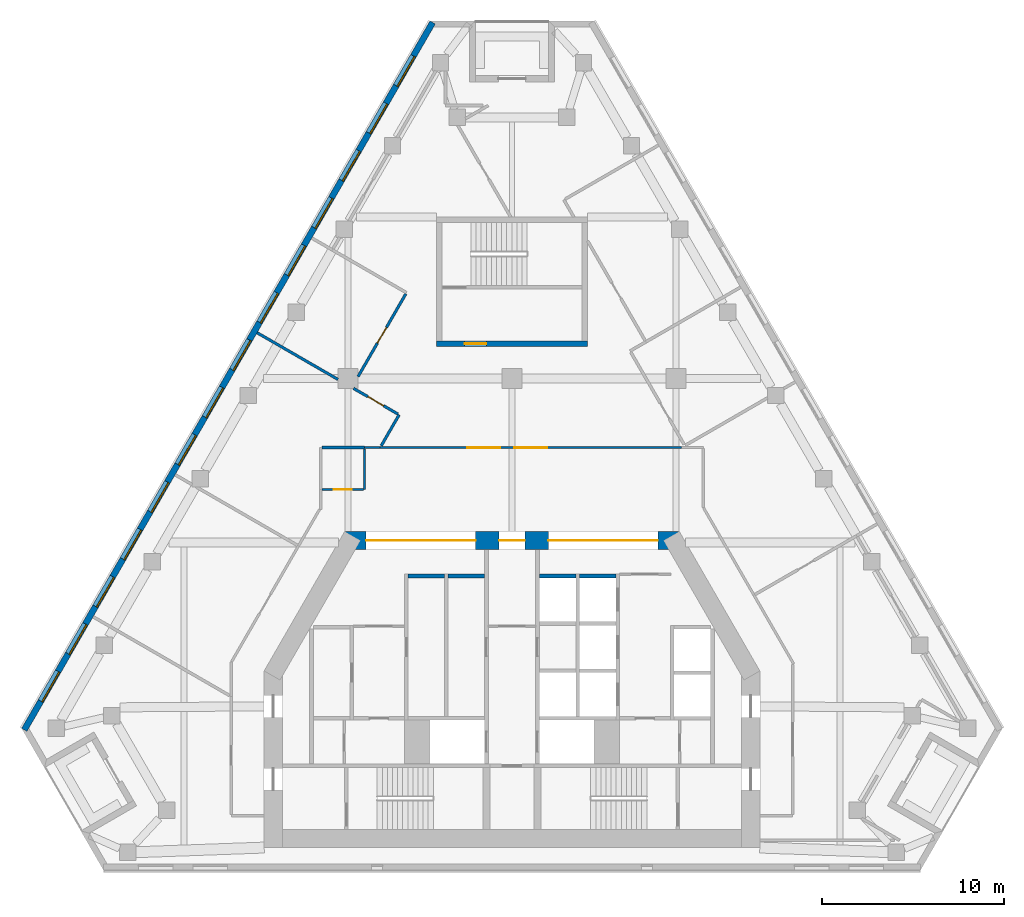
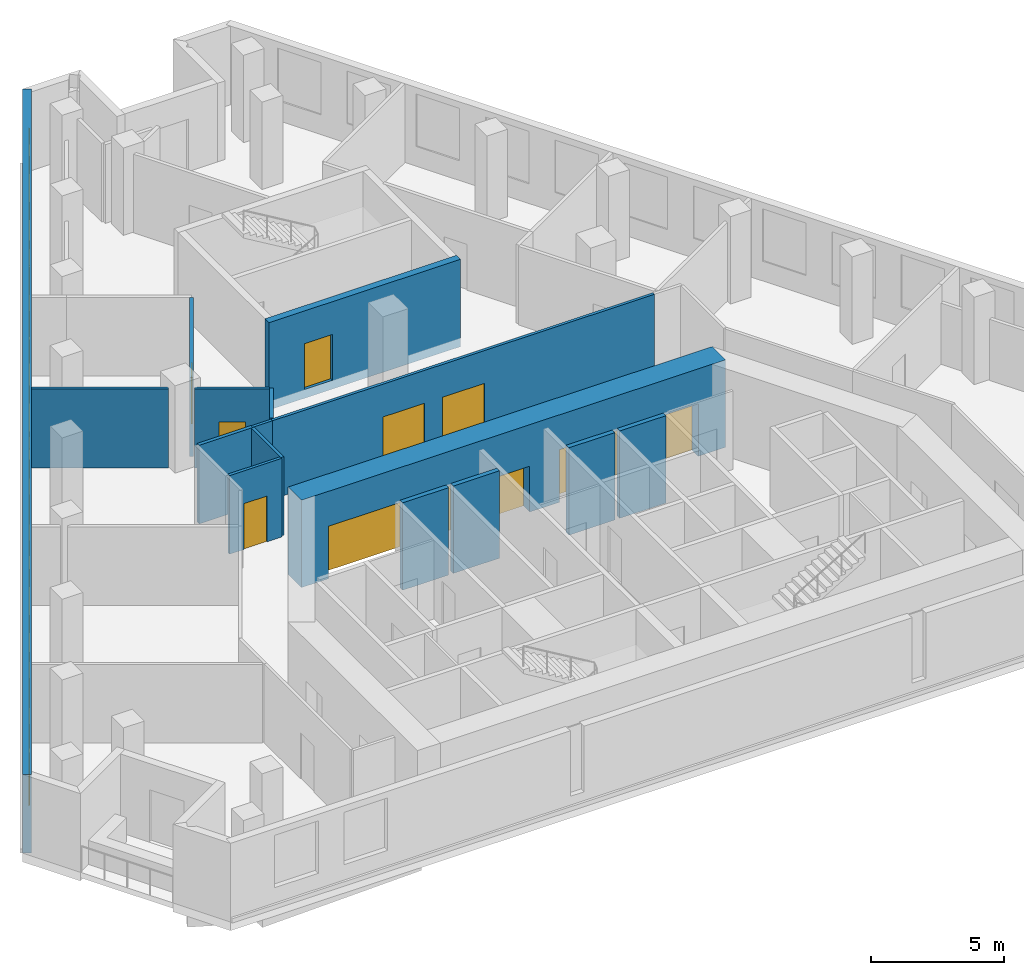
# One storey, part 4 of 8: 16 walls, 14 windows, 9 doors, 23 openings.
"""IFC4 building model written with IfcOpenShell, lengths in metres."""

from ifc_helpers import new_model, si_unit, direction, frame, frame_2d, origin, place, context, subcontext, project, spatial, rectangle, extrude, material, layer, layer_set, type_object, element, fill, save


model = new_model("IFC4")

# Units and contexts
model_context = context("Model", 3, precision=1e-05, world=origin(), true_north=direction((0.0, 1.0)))
body_context = subcontext(model_context, "Body", "Model", "MODEL_VIEW")
ifc_project = project(units=[si_unit("LENGTHUNIT", "METRE"), si_unit("AREAUNIT", "SQUARE_METRE"), si_unit("VOLUMEUNIT", "CUBIC_METRE"), si_unit("PLANEANGLEUNIT", "RADIAN"), si_unit("MASSUNIT", "GRAM", prefix="KILO")], contexts=[model_context])

# Site, building, storey
site_placement = place(None, origin())
site = spatial("IfcSite", under=ifc_project, at=site_placement, CompositionType="ELEMENT")
building_placement = place(site_placement, origin())
building = spatial("IfcBuilding", under=site, at=building_placement, Name="Fogline Exchange Tower", CompositionType="ELEMENT")
storey_placement = place(building_placement, frame((0.0, 0.0, 223.5)))
storey = spatial("IfcBuildingStorey", under=building, at=storey_placement, Name="L50", CompositionType="ELEMENT", Elevation=223.5)

# Walls
ifc_material_1 = material(Name="Concrete C40", Category="concrete")
ifc_layer_1 = layer(ifc_material_1, 0.199951171875)
ifc_layer_set_1 = layer_set([ifc_layer_1], Name="CW20S")
wall_type_1 = type_object("IfcWallType", Name="CW20S", PredefinedType="SOLIDWALL", material=ifc_layer_set_1)
for number, where, z_axis, x_axis, name in (
    (1, (-5.699951171875, 16.14990234375, -0.39990234375), (0.0, 0.0, 1.0), (1.0, 0.0, 0.0), "Lift shaft wall"),
    (2, (-3.5, 16.14990234375, -0.39990234375), (0.0, 0.0, 1.0), (1.0, 0.0, 0.0), "Lift shaft wall"),
    (3, (3.699951171875, 16.14990234375, -0.39990234375), (0.0, 0.0, 1.0), (1.0, 0.0, 0.0), "Lift shaft wall"),
    (4, (1.5, 16.14990234375, -0.39990234375), (0.0, 0.0, 1.0), (1.0, 0.0, 0.0), "Lift shaft wall"),
):
    element("IfcWall", number, at=place(storey_placement, frame(where, z_axis=z_axis, x_axis=x_axis)), inside=storey, type_object=wall_type_1, Name=name, PredefinedType="SOLIDWALL", context=body_context, shape_type="SweptSolid", body=[
        extrude(rectangle(XDim=2.0, YDim=0.199951171875, at=frame_2d((1.0, 0.0))), origin(), (0.0, 0.0, 1.0), 4.0),
    ])

# Wall, opening, door
ifc_layer_2 = layer(ifc_material_1, 0.300048828125)
ifc_layer_set_2 = layer_set([ifc_layer_2], Name="CW30")
wall_type_2 = type_object("IfcWallType", Name="CW30", PredefinedType="SOLIDWALL", material=ifc_layer_set_2)
wall_1_placement = place(storey_placement, frame((-4.14990234375, 28.906982421875, -0.39990234375), z_axis=(0.0, 0.0, 1.0), x_axis=(1.0, 0.0, 0.0)))
wall_1 = element("IfcWall", 5, at=wall_1_placement, inside=storey, type_object=wall_type_2, Name="Stair enclosure wall ST3", PredefinedType="SOLIDWALL", context=body_context, shape_type="SweptSolid", body=[
    extrude(rectangle(XDim=8.2998046875, YDim=0.300048828125, at=frame_2d((4.14990234375, 0.0))), origin(), (0.0, 0.0, 1.0), 4.0),
])
opening_1_placement = place(wall_1_placement, frame((1.550048828125, 0.0, 0.39990234375)))
opening_1 = element("IfcOpeningElement", 6, at=opening_1_placement, cuts=wall_1, Name="Opening T16-C022", PredefinedType="OPENING", context=body_context, shape_type="SweptSolid", body=[
    extrude(rectangle(XDim=1.199951171875, YDim=2.10009765625, at=frame_2d((0.60009765625, 1.050048828125))), frame((0.0, 0.16015625, 0.0), z_axis=(0.0, -1.0, 0.0), x_axis=(1.0, 0.0, 0.0)), (0.0, 0.0, 1.0), 0.320068359375),
])
ifc_material_2 = material(Name="Steel and timber fire door", Category="steel")
door_type_1 = type_object("IfcDoorType", Name="D-FR1", OperationType="SINGLE_SWING_RIGHT", PredefinedType="DOOR", material=ifc_material_2)
door_1_placement = place(opening_1_placement, origin())
door_1 = element("IfcDoor", 7, at=door_1_placement, inside=storey, type_object=door_type_1, Name="Front room door ST3", OperationType="SINGLE_SWING_LEFT", OverallHeight=2.10009765625, OverallWidth=1.199951171875, PredefinedType="DOOR", context=body_context, shape_type="SweptSolid", body=[
    extrude(rectangle(XDim=1.199951171875, YDim=2.10009765625, at=frame_2d((0.60009765625, 1.050048828125))), frame((0.0, 0.02490234375, 0.0), z_axis=(0.0, -1.0, 0.0), x_axis=(1.0, 0.0, 0.0)), (0.0, 0.0, 1.0), 0.050048828125),
])
fill(opening_1, door_1)

# Wall, openings, windows
ifc_material_3 = material(Name="Brick masonry", Category="masonry")
ifc_layer_3 = layer(ifc_material_3, 0.340087890625)
ifc_layer_set_3 = layer_set([ifc_layer_3], Name="FW1")
wall_type_3 = type_object("IfcWallType", Name="FW1", PredefinedType="SOLIDWALL", material=ifc_layer_set_3)
wall_2_placement = place(storey_placement, frame((-4.352783203125, 46.53173828125, 0.0), z_axis=(0.0, 0.0, 1.0), x_axis=(-0.499997926022, -0.866026601193, 0.0)))
wall_2 = element("IfcWall", 8, at=wall_2_placement, inside=storey, type_object=wall_type_3, Name="Brick wall L50 W", PredefinedType="SOLIDWALL", context=body_context, shape_type="SweptSolid", body=[
    extrude(rectangle(XDim=44.828369140625, YDim=0.340087890625, at=frame_2d((22.4140625, 0.0))), origin(), (0.0, 0.0, 1.0), 3.60009765625),
])
opening_2_placement = place(wall_2_placement, frame((2.12109375, 0.0, 0.89990234375)))
opening_2 = element("IfcOpeningElement", 9, at=opening_2_placement, cuts=wall_2, Name="Opening W1", PredefinedType="OPENING", context=body_context, shape_type="SweptSolid", body=[
    extrude(rectangle(XDim=1.885009765625, YDim=2.39990234375, at=frame_2d((0.9423828125, 1.199951171875))), frame((0.0, 0.18017578125, 0.0), z_axis=(0.0, -1.0, 0.0), x_axis=(1.0, 0.0, 0.0)), (0.0, 0.0, 1.0), 0.360107421875),
])
opening_3_placement = place(wall_2_placement, frame((5.12109375, 0.0, 0.89990234375)))
opening_3 = element("IfcOpeningElement", 10, at=opening_3_placement, cuts=wall_2, Name="Opening W1", PredefinedType="OPENING", context=body_context, shape_type="SweptSolid", body=[
    extrude(rectangle(XDim=1.885009765625, YDim=2.39990234375, at=frame_2d((0.9423828125, 1.199951171875))), frame((0.0, 0.18017578125, 0.0), z_axis=(0.0, -1.0, 0.0), x_axis=(1.0, 0.0, 0.0)), (0.0, 0.0, 1.0), 0.360107421875),
])
opening_4_placement = place(wall_2_placement, frame((8.12109375, 0.0, 0.89990234375)))
opening_4 = element("IfcOpeningElement", 11, at=opening_4_placement, cuts=wall_2, Name="Opening W1", PredefinedType="OPENING", context=body_context, shape_type="SweptSolid", body=[
    extrude(rectangle(XDim=1.885009765625, YDim=2.39990234375, at=frame_2d((0.9423828125, 1.199951171875))), frame((0.0, 0.18017578125, 0.0), z_axis=(0.0, -1.0, 0.0), x_axis=(1.0, 0.0, 0.0)), (0.0, 0.0, 1.0), 0.360107421875),
])
opening_5_placement = place(wall_2_placement, frame((11.12109375, 0.0, 0.89990234375)))
opening_5 = element("IfcOpeningElement", 12, at=opening_5_placement, cuts=wall_2, Name="Opening W1", PredefinedType="OPENING", context=body_context, shape_type="SweptSolid", body=[
    extrude(rectangle(XDim=1.885009765625, YDim=2.39990234375, at=frame_2d((0.9423828125, 1.199951171875))), frame((0.0, 0.18017578125, 0.0), z_axis=(0.0, -1.0, 0.0), x_axis=(1.0, 0.0, 0.0)), (0.0, 0.0, 1.0), 0.360107421875),
])
opening_6_placement = place(wall_2_placement, frame((14.12109375, 0.0, 0.89990234375)))
opening_6 = element("IfcOpeningElement", 13, at=opening_6_placement, cuts=wall_2, Name="Opening W1", PredefinedType="OPENING", context=body_context, shape_type="SweptSolid", body=[
    extrude(rectangle(XDim=1.885009765625, YDim=2.39990234375, at=frame_2d((0.9423828125, 1.199951171875))), frame((0.0, 0.18017578125, 0.0), z_axis=(0.0, -1.0, 0.0), x_axis=(1.0, 0.0, 0.0)), (0.0, 0.0, 1.0), 0.360107421875),
])
opening_7_placement = place(wall_2_placement, frame((17.12109375, 0.0, 0.89990234375)))
opening_7 = element("IfcOpeningElement", 14, at=opening_7_placement, cuts=wall_2, Name="Opening W1", PredefinedType="OPENING", context=body_context, shape_type="SweptSolid", body=[
    extrude(rectangle(XDim=1.885009765625, YDim=2.39990234375, at=frame_2d((0.9423828125, 1.199951171875))), frame((0.0, 0.18017578125, 0.0), z_axis=(0.0, -1.0, 0.0), x_axis=(1.0, 0.0, 0.0)), (0.0, 0.0, 1.0), 0.360107421875),
])
opening_8_placement = place(wall_2_placement, frame((20.12109375, 0.0, 0.89990234375)))
opening_8 = element("IfcOpeningElement", 15, at=opening_8_placement, cuts=wall_2, Name="Opening W1", PredefinedType="OPENING", context=body_context, shape_type="SweptSolid", body=[
    extrude(rectangle(XDim=1.885009765625, YDim=2.39990234375, at=frame_2d((0.9423828125, 1.199951171875))), frame((0.0, 0.18017578125, 0.0), z_axis=(0.0, -1.0, 0.0), x_axis=(1.0, 0.0, 0.0)), (0.0, 0.0, 1.0), 0.360107421875),
])
opening_9_placement = place(wall_2_placement, frame((23.12109375, 0.0, 0.89990234375)))
opening_9 = element("IfcOpeningElement", 16, at=opening_9_placement, cuts=wall_2, Name="Opening W1", PredefinedType="OPENING", context=body_context, shape_type="SweptSolid", body=[
    extrude(rectangle(XDim=1.885009765625, YDim=2.39990234375, at=frame_2d((0.9423828125, 1.199951171875))), frame((0.0, 0.18017578125, 0.0), z_axis=(0.0, -1.0, 0.0), x_axis=(1.0, 0.0, 0.0)), (0.0, 0.0, 1.0), 0.360107421875),
])
opening_10_placement = place(wall_2_placement, frame((26.12109375, 0.0, 0.89990234375)))
opening_10 = element("IfcOpeningElement", 17, at=opening_10_placement, cuts=wall_2, Name="Opening W1", PredefinedType="OPENING", context=body_context, shape_type="SweptSolid", body=[
    extrude(rectangle(XDim=1.885009765625, YDim=2.39990234375, at=frame_2d((0.9423828125, 1.199951171875))), frame((0.0, 0.18017578125, 0.0), z_axis=(0.0, -1.0, 0.0), x_axis=(1.0, 0.0, 0.0)), (0.0, 0.0, 1.0), 0.360107421875),
])
opening_11_placement = place(wall_2_placement, frame((29.12109375, 0.0, 0.89990234375)))
opening_11 = element("IfcOpeningElement", 18, at=opening_11_placement, cuts=wall_2, Name="Opening W1", PredefinedType="OPENING", context=body_context, shape_type="SweptSolid", body=[
    extrude(rectangle(XDim=1.885009765625, YDim=2.39990234375, at=frame_2d((0.9423828125, 1.199951171875))), frame((0.0, 0.18017578125, 0.0), z_axis=(0.0, -1.0, 0.0), x_axis=(1.0, 0.0, 0.0)), (0.0, 0.0, 1.0), 0.360107421875),
])
opening_12_placement = place(wall_2_placement, frame((32.12109375, 0.0, 0.89990234375)))
opening_12 = element("IfcOpeningElement", 19, at=opening_12_placement, cuts=wall_2, Name="Opening W1", PredefinedType="OPENING", context=body_context, shape_type="SweptSolid", body=[
    extrude(rectangle(XDim=1.885009765625, YDim=2.39990234375, at=frame_2d((0.9423828125, 1.199951171875))), frame((0.0, 0.18017578125, 0.0), z_axis=(0.0, -1.0, 0.0), x_axis=(1.0, 0.0, 0.0)), (0.0, 0.0, 1.0), 0.360107421875),
])
opening_13_placement = place(wall_2_placement, frame((35.12109375, 0.0, 0.89990234375)))
opening_13 = element("IfcOpeningElement", 20, at=opening_13_placement, cuts=wall_2, Name="Opening W1", PredefinedType="OPENING", context=body_context, shape_type="SweptSolid", body=[
    extrude(rectangle(XDim=1.885009765625, YDim=2.39990234375, at=frame_2d((0.9423828125, 1.199951171875))), frame((0.0, 0.18017578125, 0.0), z_axis=(0.0, -1.0, 0.0), x_axis=(1.0, 0.0, 0.0)), (0.0, 0.0, 1.0), 0.360107421875),
])
opening_14_placement = place(wall_2_placement, frame((38.12109375, 0.0, 0.89990234375)))
opening_14 = element("IfcOpeningElement", 21, at=opening_14_placement, cuts=wall_2, Name="Opening W1", PredefinedType="OPENING", context=body_context, shape_type="SweptSolid", body=[
    extrude(rectangle(XDim=1.885009765625, YDim=2.39990234375, at=frame_2d((0.9423828125, 1.199951171875))), frame((0.0, 0.18017578125, 0.0), z_axis=(0.0, -1.0, 0.0), x_axis=(1.0, 0.0, 0.0)), (0.0, 0.0, 1.0), 0.360107421875),
])
opening_15_placement = place(wall_2_placement, frame((41.12109375, 0.0, 0.89990234375)))
opening_15 = element("IfcOpeningElement", 22, at=opening_15_placement, cuts=wall_2, Name="Opening W1", PredefinedType="OPENING", context=body_context, shape_type="SweptSolid", body=[
    extrude(rectangle(XDim=1.885009765625, YDim=2.39990234375, at=frame_2d((0.9423828125, 1.199951171875))), frame((0.0, 0.18017578125, 0.0), z_axis=(0.0, -1.0, 0.0), x_axis=(1.0, 0.0, 0.0)), (0.0, 0.0, 1.0), 0.360107421875),
])
ifc_material_4 = material(Name="Aluminium and glass", Category="aluminium")
window_type = type_object("IfcWindowType", Name="W1", PartitioningType="SINGLE_PANEL", PredefinedType="WINDOW", material=ifc_material_4)
window_1_placement = place(opening_2_placement, origin())
window_1 = element("IfcWindow", 23, at=window_1_placement, inside=storey, type_object=window_type, Name="W1 W1", OverallHeight=2.39990234375, OverallWidth=1.885009765625, PartitioningType="SINGLE_PANEL", PredefinedType="WINDOW", context=body_context, shape_type="SweptSolid", body=[
    extrude(rectangle(XDim=1.885009765625, YDim=2.39990234375, at=frame_2d((0.9423828125, 1.199951171875))), frame((0.0, 0.110107421875, 0.0), z_axis=(0.0, -1.0, 0.0), x_axis=(1.0, 0.0, 0.0)), (0.0, 0.0, 1.0), 0.06005859375),
])
fill(opening_2, window_1)
window_2_placement = place(opening_3_placement, origin())
window_2 = element("IfcWindow", 24, at=window_2_placement, inside=storey, type_object=window_type, Name="W1 W1", OverallHeight=2.39990234375, OverallWidth=1.885009765625, PartitioningType="SINGLE_PANEL", PredefinedType="WINDOW", context=body_context, shape_type="SweptSolid", body=[
    extrude(rectangle(XDim=1.885009765625, YDim=2.39990234375, at=frame_2d((0.9423828125, 1.199951171875))), frame((0.0, 0.110107421875, 0.0), z_axis=(0.0, -1.0, 0.0), x_axis=(1.0, 0.0, 0.0)), (0.0, 0.0, 1.0), 0.06005859375),
])
fill(opening_3, window_2)
window_3_placement = place(opening_4_placement, origin())
window_3 = element("IfcWindow", 25, at=window_3_placement, inside=storey, type_object=window_type, Name="W1 W1", OverallHeight=2.39990234375, OverallWidth=1.885009765625, PartitioningType="SINGLE_PANEL", PredefinedType="WINDOW", context=body_context, shape_type="SweptSolid", body=[
    extrude(rectangle(XDim=1.885009765625, YDim=2.39990234375, at=frame_2d((0.9423828125, 1.199951171875))), frame((0.0, 0.110107421875, 0.0), z_axis=(0.0, -1.0, 0.0), x_axis=(1.0, 0.0, 0.0)), (0.0, 0.0, 1.0), 0.06005859375),
])
fill(opening_4, window_3)
window_4_placement = place(opening_5_placement, origin())
window_4 = element("IfcWindow", 26, at=window_4_placement, inside=storey, type_object=window_type, Name="W1 W1", OverallHeight=2.39990234375, OverallWidth=1.885009765625, PartitioningType="SINGLE_PANEL", PredefinedType="WINDOW", context=body_context, shape_type="SweptSolid", body=[
    extrude(rectangle(XDim=1.885009765625, YDim=2.39990234375, at=frame_2d((0.9423828125, 1.199951171875))), frame((0.0, 0.110107421875, 0.0), z_axis=(0.0, -1.0, 0.0), x_axis=(1.0, 0.0, 0.0)), (0.0, 0.0, 1.0), 0.06005859375),
])
fill(opening_5, window_4)
window_5_placement = place(opening_6_placement, origin())
window_5 = element("IfcWindow", 27, at=window_5_placement, inside=storey, type_object=window_type, Name="W1 W1", OverallHeight=2.39990234375, OverallWidth=1.885009765625, PartitioningType="SINGLE_PANEL", PredefinedType="WINDOW", context=body_context, shape_type="SweptSolid", body=[
    extrude(rectangle(XDim=1.885009765625, YDim=2.39990234375, at=frame_2d((0.9423828125, 1.199951171875))), frame((0.0, 0.110107421875, 0.0), z_axis=(0.0, -1.0, 0.0), x_axis=(1.0, 0.0, 0.0)), (0.0, 0.0, 1.0), 0.06005859375),
])
fill(opening_6, window_5)
window_6_placement = place(opening_7_placement, origin())
window_6 = element("IfcWindow", 28, at=window_6_placement, inside=storey, type_object=window_type, Name="W1 W1", OverallHeight=2.39990234375, OverallWidth=1.885009765625, PartitioningType="SINGLE_PANEL", PredefinedType="WINDOW", context=body_context, shape_type="SweptSolid", body=[
    extrude(rectangle(XDim=1.885009765625, YDim=2.39990234375, at=frame_2d((0.9423828125, 1.199951171875))), frame((0.0, 0.110107421875, 0.0), z_axis=(0.0, -1.0, 0.0), x_axis=(1.0, 0.0, 0.0)), (0.0, 0.0, 1.0), 0.06005859375),
])
fill(opening_7, window_6)
window_7_placement = place(opening_8_placement, origin())
window_7 = element("IfcWindow", 29, at=window_7_placement, inside=storey, type_object=window_type, Name="W1 W1", OverallHeight=2.39990234375, OverallWidth=1.885009765625, PartitioningType="SINGLE_PANEL", PredefinedType="WINDOW", context=body_context, shape_type="SweptSolid", body=[
    extrude(rectangle(XDim=1.885009765625, YDim=2.39990234375, at=frame_2d((0.9423828125, 1.199951171875))), frame((0.0, 0.110107421875, 0.0), z_axis=(0.0, -1.0, 0.0), x_axis=(1.0, 0.0, 0.0)), (0.0, 0.0, 1.0), 0.06005859375),
])
fill(opening_8, window_7)
window_8_placement = place(opening_9_placement, origin())
window_8 = element("IfcWindow", 30, at=window_8_placement, inside=storey, type_object=window_type, Name="W1 W1", OverallHeight=2.39990234375, OverallWidth=1.885009765625, PartitioningType="SINGLE_PANEL", PredefinedType="WINDOW", context=body_context, shape_type="SweptSolid", body=[
    extrude(rectangle(XDim=1.885009765625, YDim=2.39990234375, at=frame_2d((0.9423828125, 1.199951171875))), frame((0.0, 0.110107421875, 0.0), z_axis=(0.0, -1.0, 0.0), x_axis=(1.0, 0.0, 0.0)), (0.0, 0.0, 1.0), 0.06005859375),
])
fill(opening_9, window_8)
window_9_placement = place(opening_10_placement, origin())
window_9 = element("IfcWindow", 31, at=window_9_placement, inside=storey, type_object=window_type, Name="W1 W1", OverallHeight=2.39990234375, OverallWidth=1.885009765625, PartitioningType="SINGLE_PANEL", PredefinedType="WINDOW", context=body_context, shape_type="SweptSolid", body=[
    extrude(rectangle(XDim=1.885009765625, YDim=2.39990234375, at=frame_2d((0.9423828125, 1.199951171875))), frame((0.0, 0.110107421875, 0.0), z_axis=(0.0, -1.0, 0.0), x_axis=(1.0, 0.0, 0.0)), (0.0, 0.0, 1.0), 0.06005859375),
])
fill(opening_10, window_9)
window_10_placement = place(opening_11_placement, origin())
window_10 = element("IfcWindow", 32, at=window_10_placement, inside=storey, type_object=window_type, Name="W1 W1", OverallHeight=2.39990234375, OverallWidth=1.885009765625, PartitioningType="SINGLE_PANEL", PredefinedType="WINDOW", context=body_context, shape_type="SweptSolid", body=[
    extrude(rectangle(XDim=1.885009765625, YDim=2.39990234375, at=frame_2d((0.9423828125, 1.199951171875))), frame((0.0, 0.110107421875, 0.0), z_axis=(0.0, -1.0, 0.0), x_axis=(1.0, 0.0, 0.0)), (0.0, 0.0, 1.0), 0.06005859375),
])
fill(opening_11, window_10)
window_11_placement = place(opening_12_placement, origin())
window_11 = element("IfcWindow", 33, at=window_11_placement, inside=storey, type_object=window_type, Name="W1 W1", OverallHeight=2.39990234375, OverallWidth=1.885009765625, PartitioningType="SINGLE_PANEL", PredefinedType="WINDOW", context=body_context, shape_type="SweptSolid", body=[
    extrude(rectangle(XDim=1.885009765625, YDim=2.39990234375, at=frame_2d((0.9423828125, 1.199951171875))), frame((0.0, 0.110107421875, 0.0), z_axis=(0.0, -1.0, 0.0), x_axis=(1.0, 0.0, 0.0)), (0.0, 0.0, 1.0), 0.06005859375),
])
fill(opening_12, window_11)
window_12_placement = place(opening_13_placement, origin())
window_12 = element("IfcWindow", 34, at=window_12_placement, inside=storey, type_object=window_type, Name="W1 W1", OverallHeight=2.39990234375, OverallWidth=1.885009765625, PartitioningType="SINGLE_PANEL", PredefinedType="WINDOW", context=body_context, shape_type="SweptSolid", body=[
    extrude(rectangle(XDim=1.885009765625, YDim=2.39990234375, at=frame_2d((0.9423828125, 1.199951171875))), frame((0.0, 0.110107421875, 0.0), z_axis=(0.0, -1.0, 0.0), x_axis=(1.0, 0.0, 0.0)), (0.0, 0.0, 1.0), 0.06005859375),
])
fill(opening_13, window_12)
window_13_placement = place(opening_14_placement, origin())
window_13 = element("IfcWindow", 35, at=window_13_placement, inside=storey, type_object=window_type, Name="W1 W1", OverallHeight=2.39990234375, OverallWidth=1.885009765625, PartitioningType="SINGLE_PANEL", PredefinedType="WINDOW", context=body_context, shape_type="SweptSolid", body=[
    extrude(rectangle(XDim=1.885009765625, YDim=2.39990234375, at=frame_2d((0.9423828125, 1.199951171875))), frame((0.0, 0.110107421875, 0.0), z_axis=(0.0, -1.0, 0.0), x_axis=(1.0, 0.0, 0.0)), (0.0, 0.0, 1.0), 0.06005859375),
])
fill(opening_14, window_13)
window_14_placement = place(opening_15_placement, origin())
window_14 = element("IfcWindow", 36, at=window_14_placement, inside=storey, type_object=window_type, Name="W1 W1", OverallHeight=2.39990234375, OverallWidth=1.885009765625, PartitioningType="SINGLE_PANEL", PredefinedType="WINDOW", context=body_context, shape_type="SweptSolid", body=[
    extrude(rectangle(XDim=1.885009765625, YDim=2.39990234375, at=frame_2d((0.9423828125, 1.199951171875))), frame((0.0, 0.110107421875, 0.0), z_axis=(0.0, -1.0, 0.0), x_axis=(1.0, 0.0, 0.0)), (0.0, 0.0, 1.0), 0.06005859375),
])
fill(opening_15, window_14)

# Wall, openings, doors
ifc_material_5 = material(Name="Plasterboard corridor partition with mineral wool, 2 layers each side")
ifc_layer_4 = layer(ifc_material_5, 0.125)
ifc_layer_set_4 = layer_set([ifc_layer_4], Name="PW2")
wall_type_4 = type_object("IfcWallType", Name="PW2", PredefinedType="PARTITIONING", material=ifc_layer_set_4)
wall_3_placement = place(storey_placement, frame((-7.234619140625, 23.199951171875, 0.0), z_axis=(0.0, 0.0, 1.0), x_axis=(1.0, 0.0, 0.0)))
wall_3 = element("IfcWall", 37, at=wall_3_placement, inside=storey, type_object=wall_type_4, Name="wall-L50-W007", PredefinedType="PARTITIONING", context=body_context, shape_type="SweptSolid", body=[
    extrude(rectangle(XDim=16.533203125, YDim=0.125, at=frame_2d((8.2666015625, 0.0))), origin(), (0.0, 0.0, 1.0), 3.60009765625),
])
opening_16_placement = place(wall_3_placement, frame((4.77880859375, 0.0, 0.0)))
opening_16 = element("IfcOpeningElement", 38, at=opening_16_placement, cuts=wall_3, Name="Opening T16-D002", PredefinedType="OPENING", context=body_context, shape_type="SweptSolid", body=[
    extrude(rectangle(XDim=1.800048828125, YDim=2.10009765625, at=frame_2d((0.89990234375, 1.050048828125))), frame((0.0, 0.072509765625, 0.0), z_axis=(0.0, -1.0, 0.0), x_axis=(1.0, 0.0, 0.0)), (0.0, 0.0, 1.0), 0.14501953125),
])
opening_17_placement = place(wall_3_placement, frame((7.36669921875, 0.0, 0.0)))
opening_17 = element("IfcOpeningElement", 39, at=opening_17_placement, cuts=wall_3, Name="Opening T16-D003", PredefinedType="OPENING", context=body_context, shape_type="SweptSolid", body=[
    extrude(rectangle(XDim=1.800048828125, YDim=2.10009765625, at=frame_2d((0.89990234375, 1.050048828125))), frame((0.0, 0.072509765625, 0.0), z_axis=(0.0, -1.0, 0.0), x_axis=(1.0, 0.0, 0.0)), (0.0, 0.0, 1.0), 0.14501953125),
])
ifc_material_6 = material(Name="Fire-rated timber door leaves with steel frame", Category="steel")
door_type_2 = type_object("IfcDoorType", Name="D4", OperationType="DOUBLE_DOOR_SINGLE_SWING", PredefinedType="DOOR", material=ifc_material_6)
door_2_placement = place(opening_16_placement, frame((1.800048828125, 0.0, 0.0), z_axis=(0.0, 0.0, 1.0), x_axis=(-1.0, 0.0, 0.0)))
door_2 = element("IfcDoor", 40, at=door_2_placement, inside=storey, type_object=door_type_2, Name="door-L50-D002", OperationType="DOUBLE_DOOR_SINGLE_SWING", OverallHeight=2.10009765625, OverallWidth=1.800048828125, PredefinedType="DOOR", context=body_context, shape_type="SweptSolid", body=[
    extrude(rectangle(XDim=1.800048828125, YDim=2.10009765625, at=frame_2d((0.89990234375, 1.050048828125))), frame((0.0, 0.02490234375, 0.0), z_axis=(0.0, -1.0, 0.0), x_axis=(1.0, 0.0, 0.0)), (0.0, 0.0, 1.0), 0.050048828125),
])
fill(opening_16, door_2)
door_3_placement = place(opening_17_placement, frame((1.800048828125, 0.0, 0.0), z_axis=(0.0, 0.0, 1.0), x_axis=(-1.0, 0.0, 0.0)))
door_3 = element("IfcDoor", 41, at=door_3_placement, inside=storey, type_object=door_type_2, Name="door-L50-D003", OperationType="DOUBLE_DOOR_SINGLE_SWING", OverallHeight=2.10009765625, OverallWidth=1.800048828125, PredefinedType="DOOR", context=body_context, shape_type="SweptSolid", body=[
    extrude(rectangle(XDim=1.800048828125, YDim=2.10009765625, at=frame_2d((0.89990234375, 1.050048828125))), frame((0.0, 0.02490234375, 0.0), z_axis=(0.0, -1.0, 0.0), x_axis=(1.0, 0.0, 0.0)), (0.0, 0.0, 1.0), 0.050048828125),
])
fill(opening_17, door_3)

# Wall
wall_4_placement = place(storey_placement, frame((-8.10009765625, 23.199951171875, 0.0), z_axis=(0.0, 0.0, 1.0), x_axis=(1.0, 0.0, 0.0)))
element("IfcWall", 42, at=wall_4_placement, inside=storey, type_object=wall_type_4, Name="wall-L50-W009", PredefinedType="PARTITIONING", context=body_context, shape_type="SweptSolid", body=[
    extrude(rectangle(XDim=0.865478515625, YDim=0.125, at=frame_2d((0.4326171875, 0.0))), origin(), (0.0, 0.0, 1.0), 3.60009765625),
])

# Wall, opening, door
wall_5_placement = place(storey_placement, frame((-10.425048828125, 20.89990234375, 0.0), z_axis=(0.0, 0.0, 1.0), x_axis=(1.0, 0.0, 0.0)))
wall_5 = element("IfcWall", 43, at=wall_5_placement, inside=storey, type_object=wall_type_4, Name="wall-L50-W010", PredefinedType="PARTITIONING", context=body_context, shape_type="SweptSolid", body=[
    extrude(rectangle(XDim=2.262451171875, YDim=0.125, at=frame_2d((1.13134765625, 0.0))), origin(), (0.0, 0.0, 1.0), 3.60009765625),
])
opening_18_placement = place(wall_5_placement, frame((0.63134765625, 0.0, 0.0)))
opening_18 = element("IfcOpeningElement", 44, at=opening_18_placement, cuts=wall_5, Name="Opening T16-D004", PredefinedType="OPENING", context=body_context, shape_type="SweptSolid", body=[
    extrude(rectangle(XDim=1.0, YDim=2.10009765625, at=frame_2d((0.5, 1.050048828125))), frame((0.0, 0.072509765625, 0.0), z_axis=(0.0, -1.0, 0.0), x_axis=(1.0, 0.0, 0.0)), (0.0, 0.0, 1.0), 0.14501953125),
])
ifc_material_7 = material(Name="Fire-rated timber door leaf with steel frame", Category="steel")
door_type_3 = type_object("IfcDoorType", Name="D3", OperationType="SINGLE_SWING_LEFT", PredefinedType="DOOR", material=ifc_material_7)
door_4_placement = place(opening_18_placement, origin())
door_4 = element("IfcDoor", 45, at=door_4_placement, inside=storey, type_object=door_type_3, Name="door-L50-D004", OperationType="SINGLE_SWING_LEFT", OverallHeight=2.10009765625, OverallWidth=1.0, PredefinedType="DOOR", context=body_context, shape_type="SweptSolid", body=[
    extrude(rectangle(XDim=1.0, YDim=2.10009765625, at=frame_2d((0.5, 1.050048828125))), frame((0.0, 0.02490234375, 0.0), z_axis=(0.0, -1.0, 0.0), x_axis=(1.0, 0.0, 0.0)), (0.0, 0.0, 1.0), 0.050048828125),
])
fill(opening_18, door_4)

# Wall
wall_6_placement = place(storey_placement, frame((-8.10009765625, 20.89990234375, 0.0), z_axis=(0.0, 0.0, 1.0), x_axis=(0.0, 1.0, 0.0)))
element("IfcWall", 46, at=wall_6_placement, inside=storey, type_object=wall_type_4, Name="wall-L50-W011", PredefinedType="PARTITIONING", context=body_context, shape_type="SweptSolid", body=[
    extrude(rectangle(XDim=2.22509765625, YDim=0.125, at=frame_2d((1.112548828125, 0.0))), origin(), (0.0, 0.0, 1.0), 3.60009765625),
])

# Wall, opening, door
ifc_material_8 = material(Name="Plasterboard demising partition with mineral wool and acoustic board")
ifc_layer_5 = layer(ifc_material_8, 0.14990234375)
ifc_layer_set_5 = layer_set([ifc_layer_5], Name="PW3")
wall_type_5 = type_object("IfcWallType", Name="PW3", PredefinedType="PARTITIONING", material=ifc_layer_set_5)
wall_7_placement = place(storey_placement, frame((-8.449951171875, 27.09521484375, 0.0), z_axis=(0.0, 0.0, 1.0), x_axis=(0.500005998957, 0.866021940257, 0.0)))
wall_7 = element("IfcWall", 47, at=wall_7_placement, inside=storey, type_object=wall_type_5, Name="wall-L50-W034", PredefinedType="PARTITIONING", context=body_context, shape_type="SweptSolid", body=[
    extrude(rectangle(XDim=5.2421875, YDim=0.14990234375, at=frame_2d((2.62109375, 0.0))), origin(), (0.0, 0.0, 1.0), 3.60009765625),
])
opening_19_placement = place(wall_7_placement, frame((2.12109375, 0.0, 0.0)))
opening_19 = element("IfcOpeningElement", 48, at=opening_19_placement, cuts=wall_7, Name="Opening T16-D012", PredefinedType="OPENING", context=body_context, shape_type="SweptSolid", body=[
    extrude(rectangle(XDim=1.0, YDim=2.10009765625, at=frame_2d((0.5, 1.050048828125))), frame((0.0, 0.0849609375, 0.0), z_axis=(0.0, -1.0, 0.0), x_axis=(1.0, 0.0, 0.0)), (0.0, 0.0, 1.0), 0.169921875),
])
door_5_placement = place(opening_19_placement, origin())
door_5 = element("IfcDoor", 49, at=door_5_placement, inside=storey, type_object=door_type_3, Name="door-L50-D012", OperationType="SINGLE_SWING_LEFT", OverallHeight=2.10009765625, OverallWidth=1.0, PredefinedType="DOOR", context=body_context, shape_type="SweptSolid", body=[
    extrude(rectangle(XDim=1.0, YDim=2.10009765625, at=frame_2d((0.5, 1.050048828125))), frame((0.0, 0.02490234375, 0.0), z_axis=(0.0, -1.0, 0.0), x_axis=(1.0, 0.0, 0.0)), (0.0, 0.0, 1.0), 0.050048828125),
])
fill(opening_19, door_5)

# Wall
wall_8_placement = place(storey_placement, frame((-7.1767578125, 23.30029296875, 0.0), z_axis=(0.0, 0.0, 1.0), x_axis=(0.500023253097, 0.866011978186, 0.0)))
element("IfcWall", 50, at=wall_8_placement, inside=storey, type_object=wall_type_5, Name="wall-L50-W036", PredefinedType="PARTITIONING", context=body_context, shape_type="SweptSolid", body=[
    extrude(rectangle(XDim=1.96728515625, YDim=0.14990234375, at=frame_2d((0.983642578125, 0.0))), origin(), (0.0, 0.0, 1.0), 3.60009765625),
])

# Wall, opening, door
wall_9_placement = place(storey_placement, frame((-6.25830078125, 25.04150390625, 0.0), z_axis=(0.0, 0.0, 1.0), x_axis=(-0.866021046153, 0.500007547564, 0.0)))
wall_9 = element("IfcWall", 51, at=wall_9_placement, inside=storey, type_object=wall_type_5, Name="wall-L50-W037", PredefinedType="PARTITIONING", context=body_context, shape_type="SweptSolid", body=[
    extrude(rectangle(XDim=2.81689453125, YDim=0.14990234375, at=frame_2d((1.408447265625, 0.0))), origin(), (0.0, 0.0, 1.0), 3.60009765625),
])
opening_20_placement = place(wall_9_placement, frame((0.908447265625, 0.0, 0.0)))
opening_20 = element("IfcOpeningElement", 52, at=opening_20_placement, cuts=wall_9, Name="Opening T16-D013", PredefinedType="OPENING", context=body_context, shape_type="SweptSolid", body=[
    extrude(rectangle(XDim=1.0, YDim=2.10009765625, at=frame_2d((0.5, 1.050048828125))), frame((0.0, 0.0849609375, 0.0), z_axis=(0.0, -1.0, 0.0), x_axis=(1.0, 0.0, 0.0)), (0.0, 0.0, 1.0), 0.169921875),
])
door_6_placement = place(opening_20_placement, origin())
door_6 = element("IfcDoor", 53, at=door_6_placement, inside=storey, type_object=door_type_3, Name="door-L50-D013", OperationType="SINGLE_SWING_LEFT", OverallHeight=2.10009765625, OverallWidth=1.0, PredefinedType="DOOR", context=body_context, shape_type="SweptSolid", body=[
    extrude(rectangle(XDim=1.0, YDim=2.10009765625, at=frame_2d((0.5, 1.050048828125))), frame((0.0, 0.02490234375, 0.0), z_axis=(0.0, -1.0, 0.0), x_axis=(1.0, 0.0, 0.0)), (0.0, 0.0, 1.0), 0.050048828125),
])
fill(opening_20, door_6)

# Walls
wall_10_placement = place(storey_placement, frame((-9.550048828125, 26.94189453125, 0.0), z_axis=(0.0, 0.0, 1.0), x_axis=(-0.866011809644, 0.500023545002, 0.0)))
element("IfcWall", 54, at=wall_10_placement, inside=storey, type_object=wall_type_5, Name="wall-L50-W039", PredefinedType="PARTITIONING", context=body_context, shape_type="SweptSolid", body=[
    extrude(rectangle(XDim=5.123779296875, YDim=0.14990234375, at=frame_2d((2.56201171875, 0.0))), origin(), (0.0, 0.0, 1.0), 3.60009765625),
])
wall_11_placement = place(storey_placement, frame((-8.10009765625, 23.199951171875, 0.0), z_axis=(0.0, 0.0, 1.0), x_axis=(-1.0, 0.0, 0.0)))
element("IfcWall", 55, at=wall_11_placement, inside=storey, type_object=wall_type_5, Name="wall-L50-W040", PredefinedType="PARTITIONING", context=body_context, shape_type="SweptSolid", body=[
    extrude(rectangle(XDim=2.324951171875, YDim=0.14990234375, at=frame_2d((1.16259765625, 0.0))), origin(), (0.0, 0.0, 1.0), 3.60009765625),
])

# Wall, openings, doors
ifc_material_9 = material(Name="Concrete C60", Category="concrete")
ifc_layer_6 = layer(ifc_material_9, 1.0)
ifc_layer_set_6 = layer_set([ifc_layer_6], Name="SW03")
wall_type_6 = type_object("IfcWallType", Name="SW03", PredefinedType="SHEAR", material=ifc_layer_set_6)
wall_12_placement = place(storey_placement, frame((9.1806640625, 18.10009765625, 0.0), z_axis=(0.0, 0.0, 1.0), x_axis=(-1.0, 0.0, 0.0)))
wall_12 = element("IfcWall", 56, at=wall_12_placement, inside=storey, type_object=wall_type_6, Name="L50-W904", PredefinedType="SHEAR", context=body_context, shape_type="SweptSolid", body=[
    extrude(rectangle(XDim=18.361328125, YDim=1.0, at=frame_2d((9.1806640625, 0.0))), origin(), (0.0, 0.0, 1.0), 4.0),
])
opening_21_placement = place(wall_12_placement, frame((8.480712890625, 0.0, 0.0)))
opening_21 = element("IfcOpeningElement", 57, at=opening_21_placement, cuts=wall_12, Name="Opening T16-C019", PredefinedType="OPENING", context=body_context, shape_type="SweptSolid", body=[
    extrude(rectangle(XDim=1.39990234375, YDim=2.10009765625, at=frame_2d((0.699951171875, 1.050048828125))), frame((0.0, 0.510009765625, 0.0), z_axis=(0.0, -1.0, 0.0), x_axis=(1.0, 0.0, 0.0)), (0.0, 0.0, 1.0), 1.02001953125),
])
opening_22_placement = place(wall_12_placement, frame((11.1806640625, 0.0, 0.0)))
opening_22 = element("IfcOpeningElement", 58, at=opening_22_placement, cuts=wall_12, Name="Opening T16-C020", PredefinedType="OPENING", context=body_context, shape_type="SweptSolid", body=[
    extrude(rectangle(XDim=6.0, YDim=2.39990234375, at=frame_2d((3.0, 1.199951171875))), frame((0.0, 0.510009765625, 0.0), z_axis=(0.0, -1.0, 0.0), x_axis=(1.0, 0.0, 0.0)), (0.0, 0.0, 1.0), 1.02001953125),
])
opening_23_placement = place(wall_12_placement, frame((1.1806640625, 0.0, 0.0)))
opening_23 = element("IfcOpeningElement", 59, at=opening_23_placement, cuts=wall_12, Name="Opening T16-C021", PredefinedType="OPENING", context=body_context, shape_type="SweptSolid", body=[
    extrude(rectangle(XDim=6.0, YDim=2.39990234375, at=frame_2d((3.0, 1.199951171875))), frame((0.0, 0.510009765625, 0.0), z_axis=(0.0, -1.0, 0.0), x_axis=(1.0, 0.0, 0.0)), (0.0, 0.0, 1.0), 1.02001953125),
])
door_type_4 = type_object("IfcDoorType", Name="D-LB1", OperationType="DOUBLE_DOOR_SINGLE_SWING", PredefinedType="DOOR", material=ifc_material_2)
door_7_placement = place(opening_21_placement, origin())
door_7 = element("IfcDoor", 60, at=door_7_placement, inside=storey, type_object=door_type_4, Name="Protected lobby door", OperationType="DOUBLE_DOOR_SINGLE_SWING", OverallHeight=2.10009765625, OverallWidth=1.39990234375, PredefinedType="DOOR", context=body_context, shape_type="SweptSolid", body=[
    extrude(rectangle(XDim=1.39990234375, YDim=2.10009765625, at=frame_2d((0.699951171875, 1.050048828125))), frame((0.0, 0.02490234375, 0.0), z_axis=(0.0, -1.0, 0.0), x_axis=(1.0, 0.0, 0.0)), (0.0, 0.0, 1.0), 0.050048828125),
])
fill(opening_21, door_7)
door_type_5 = type_object("IfcDoorType", Name="D-LE1", OperationType="DOUBLE_DOOR_SLIDING", PredefinedType="DOOR", material=ifc_material_2)
door_8_placement = place(opening_22_placement, origin())
door_8 = element("IfcDoor", 61, at=door_8_placement, inside=storey, type_object=door_type_5, Name="Lift lobby entrance west", OperationType="DOUBLE_DOOR_SLIDING", OverallHeight=2.39990234375, OverallWidth=6.0, PredefinedType="DOOR", context=body_context, shape_type="SweptSolid", body=[
    extrude(rectangle(XDim=6.0, YDim=2.39990234375, at=frame_2d((3.0, 1.199951171875))), frame((0.0, 0.02490234375, 0.0), z_axis=(0.0, -1.0, 0.0), x_axis=(1.0, 0.0, 0.0)), (0.0, 0.0, 1.0), 0.050048828125),
])
fill(opening_22, door_8)
door_9_placement = place(opening_23_placement, origin())
door_9 = element("IfcDoor", 62, at=door_9_placement, inside=storey, type_object=door_type_5, Name="Lift lobby entrance east", OperationType="DOUBLE_DOOR_SLIDING", OverallHeight=2.39990234375, OverallWidth=6.0, PredefinedType="DOOR", context=body_context, shape_type="SweptSolid", body=[
    extrude(rectangle(XDim=6.0, YDim=2.39990234375, at=frame_2d((3.0, 1.199951171875))), frame((0.0, 0.02490234375, 0.0), z_axis=(0.0, -1.0, 0.0), x_axis=(1.0, 0.0, 0.0)), (0.0, 0.0, 1.0), 0.050048828125),
])
fill(opening_23, door_9)

save(model, "model.ifc")
